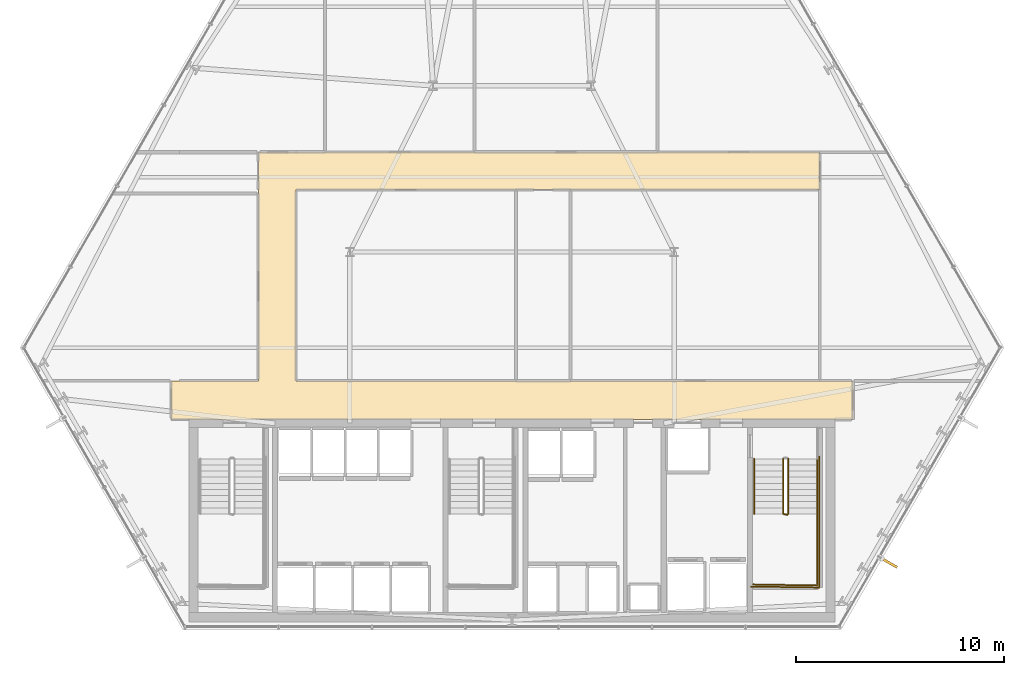
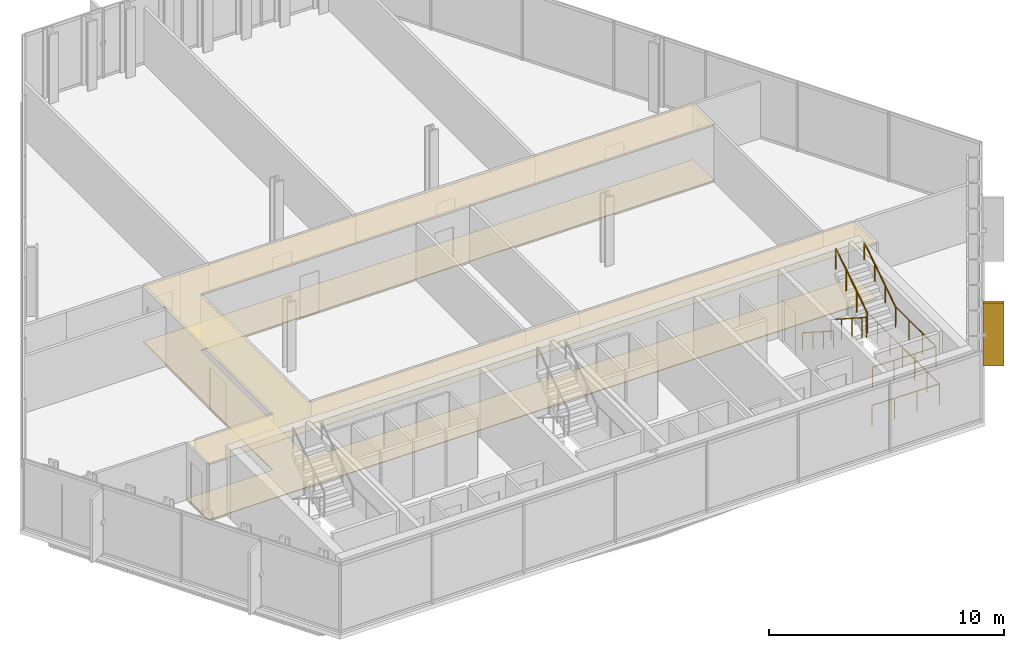
# One storey, part 30 of 32: 6 railings, 2 coverings, 1 shading device.
"""IFC4 building model written with IfcOpenShell, lengths in metres."""

from ifc_helpers import new_model, si_unit, direction, frame, origin, origin_2d, place, context, subcontext, project, spatial, polyline, rectangle, circle, outline, extrude, material, layer, layer_set, type_object, element, save


model = new_model("IFC4")

# Units and contexts
model_context = context("Model", 3, precision=1e-05, world=origin(), true_north=direction((0.0, 1.0)))
body_context = subcontext(model_context, "Body", "Model", "MODEL_VIEW")
ifc_project = project(units=[si_unit("LENGTHUNIT", "METRE"), si_unit("AREAUNIT", "SQUARE_METRE"), si_unit("VOLUMEUNIT", "CUBIC_METRE"), si_unit("PLANEANGLEUNIT", "RADIAN"), si_unit("MASSUNIT", "GRAM", prefix="KILO")], contexts=[model_context])

# Site, building, storey
site_placement = place(None, origin())
site = spatial("IfcSite", under=ifc_project, at=site_placement, CompositionType="ELEMENT")
building_placement = place(site_placement, origin())
building = spatial("IfcBuilding", under=site, at=building_placement, Name="Ndaravel Arena Tower", CompositionType="ELEMENT")
storey_placement = place(building_placement, frame((0.0, 0.0, 62.60009765625)))
storey = spatial("IfcBuildingStorey", under=building, at=storey_placement, Name="L13", CompositionType="ELEMENT", Elevation=62.60009765625)

# Coverings
ifc_material_1 = material(Name="Acoustic Ceiling Tile", Category="finish")
ifc_layer_1 = layer(ifc_material_1, 0.02490234375)
ifc_layer_set_1 = layer_set([ifc_layer_1], Name="Acoustic Ceiling Tile")
covering_type_1 = type_object("IfcCoveringType", Name="COV-CEIL-AC600", PredefinedType="CEILING", material=ifc_layer_set_1)
covering_1_placement = place(storey_placement, frame((0.0, 0.0, 2.902587890625)))
element("IfcCovering", 1, at=covering_1_placement, inside=storey, type_object=covering_type_1, Name="L13 Corridor Acoustic Ceiling", PredefinedType="CEILING", context=body_context, shape_type="SweptSolid", body=[
    extrude(outline(polyline([(58.39990234375, 17.0), (31.60009765625, 17.0), (31.60009765625, 26.199951171875), (56.800048828125, 26.199951171875), (56.800048828125, 28.0), (31.60009765625, 28.0), (29.800048828125, 28.0), (29.800048828125, 26.199951171875), (29.800048828125, 17.0), (25.60009765625, 17.0), (25.60009765625, 15.14990234375), (58.39990234375, 15.14990234375), (58.39990234375, 17.0)])), origin(), (0.0, 0.0, 1.0), 0.025146484375),
])
ifc_material_2 = material(Name="Terrazzo", Category="stone")
ifc_layer_2 = layer(ifc_material_2, 0.030029296875)
ifc_layer_set_2 = layer_set([ifc_layer_2], Name="Terrazzo")
covering_type_2 = type_object("IfcCoveringType", Name="COV-FLOOR-TERRAZZO", PredefinedType="FLOORING", material=ifc_layer_set_2)
covering_2_placement = place(storey_placement, origin())
element("IfcCovering", 2, at=covering_2_placement, inside=storey, type_object=covering_type_2, Name="L13 Corridor Terrazzo Flooring", PredefinedType="FLOORING", context=body_context, shape_type="SweptSolid", body=[
    extrude(outline(polyline([(58.39990234375, 17.0), (31.60009765625, 17.0), (31.60009765625, 26.199951171875), (56.800048828125, 26.199951171875), (56.800048828125, 28.0), (31.60009765625, 28.0), (29.800048828125, 28.0), (29.800048828125, 26.199951171875), (29.800048828125, 17.0), (25.60009765625, 17.0), (25.60009765625, 15.14990234375), (58.39990234375, 15.14990234375), (58.39990234375, 17.0)])), origin(), (0.0, 0.0, 1.0), 0.02978515625),
])

# Railings
ifc_material_3 = material(Name="Steel S355", Category="steel")
ifc_layer_3 = layer(ifc_material_3, 0.06005859375)
ifc_layer_set_3 = layer_set([ifc_layer_3], Name="Steel S355")
railing_type_1 = type_object("IfcRailingType", Name="RAIL-STAIR-GD1100", PredefinedType="GUARDRAIL", material=ifc_layer_set_3)
railing_1_placement = place(storey_placement, frame((55.050048828125, 13.25, 0.18994140625)))
element("IfcRailing", 3, at=railing_1_placement, inside=storey, type_object=railing_type_1, Name="L13 ST-3 stair guard 1", PredefinedType="GUARDRAIL", context=body_context, shape_type="SweptSolid", body=[
    extrude(circle(Radius=0.02392578125, at=origin_2d()), frame((0.0, 0.0, 1.076171875), z_axis=(0.0, -0.840723540582, 0.54146461409), x_axis=(1.0, 0.0, 0.0)), (0.0, 0.0, 1.0), 3.157958984375),
    extrude(circle(Radius=0.02392578125, at=origin_2d()), frame((0.0, -2.655029296875, 2.7861328125), z_axis=(0.966993988697, -0.254799187253, 0.0), x_axis=(0.254799187253, 0.966993988697, 0.0)), (0.0, 0.0, 1.0), 0.196533203125),
    extrude(circle(Radius=0.02099609375, at=origin_2d()), origin(), (0.0, 0.0, 1.0), 1.052001953125),
    extrude(circle(Radius=0.02099609375, at=origin_2d()), frame((0.0, -0.885009765625, 0.570068359375)), (0.0, 0.0, 1.0), 1.052001953125),
    extrude(circle(Radius=0.02099609375, at=origin_2d()), frame((0.0, -1.77001953125, 1.139892578125)), (0.0, 0.0, 1.0), 1.052001953125),
    extrude(circle(Radius=0.02099609375, at=origin_2d()), frame((0.0, -2.655029296875, 1.7099609375)), (0.0, 0.0, 1.0), 1.052001953125),
    extrude(circle(Radius=0.02099609375, at=origin_2d()), frame((0.18994140625, -2.705078125, 1.7099609375)), (0.0, 0.0, 1.0), 1.052001953125),
])
railing_2_placement = place(storey_placement, frame((56.68994140625, 10.594970703125, 1.89990234375)))
element("IfcRailing", 4, at=railing_2_placement, inside=storey, type_object=railing_type_1, Name="L13 ST-3 stair guard 2", PredefinedType="GUARDRAIL", context=body_context, shape_type="SweptSolid", body=[
    extrude(circle(Radius=0.02392578125, at=origin_2d()), frame((0.0, 0.0, 1.076171875), z_axis=(0.0, -1.0, 0.0), x_axis=(1.0, 0.0, 0.0)), (0.0, 0.0, 1.0), 3.445068359375),
    extrude(circle(Radius=0.02392578125, at=origin_2d()), frame((0.0, -3.445068359375, 1.076171875), z_axis=(-0.999868840623, 0.016195726322, 0.0), x_axis=(-0.016195726322, -0.999868840623, 0.0)), (0.0, 0.0, 1.0), 3.09033203125),
    extrude(circle(Radius=0.02099609375, at=origin_2d()), origin(), (0.0, 0.0, 1.0), 1.052001953125),
    extrude(circle(Radius=0.02099609375, at=origin_2d()), frame((0.0, -1.1484375, 0.0)), (0.0, 0.0, 1.0), 1.052001953125),
    extrude(circle(Radius=0.02099609375, at=origin_2d()), frame((0.0, -2.296630859375, 0.0)), (0.0, 0.0, 1.0), 1.052001953125),
    extrude(circle(Radius=0.02099609375, at=origin_2d()), frame((0.0, -3.445068359375, 0.0)), (0.0, 0.0, 1.0), 1.052001953125),
    extrude(circle(Radius=0.02099609375, at=origin_2d()), frame((-1.030029296875, -3.428466796875, 0.0)), (0.0, 0.0, 1.0), 1.052001953125),
    extrude(circle(Radius=0.02099609375, at=origin_2d()), frame((-2.059814453125, -3.41162109375, 0.0)), (0.0, 0.0, 1.0), 1.052001953125),
    extrude(circle(Radius=0.02099609375, at=origin_2d()), frame((-3.08984375, -3.39501953125, 0.0)), (0.0, 0.0, 1.0), 1.052001953125),
])
railing_3_placement = place(storey_placement, frame((55.2900390625, 10.594970703125, 2.08984375)))
element("IfcRailing", 5, at=railing_3_placement, inside=storey, type_object=railing_type_1, Name="L13 ST-3 stair guard 3", PredefinedType="GUARDRAIL", context=body_context, shape_type="SweptSolid", body=[
    extrude(circle(Radius=0.02392578125, at=origin_2d()), frame((0.0, 0.0, 1.076171875), z_axis=(0.0, 0.840723540582, 0.54146461409), x_axis=(-1.0, 0.0, 0.0)), (0.0, 0.0, 1.0), 3.157958984375),
    extrude(circle(Radius=0.02099609375, at=origin_2d()), origin(), (0.0, 0.0, 1.0), 1.052001953125),
    extrude(circle(Radius=0.02099609375, at=origin_2d()), frame((0.0, 0.885009765625, 0.570068359375)), (0.0, 0.0, 1.0), 1.052001953125),
    extrude(circle(Radius=0.02099609375, at=origin_2d()), frame((0.0, 1.77001953125, 1.139892578125)), (0.0, 0.0, 1.0), 1.052001953125),
    extrude(circle(Radius=0.02099609375, at=origin_2d()), frame((0.0, 2.655029296875, 1.7099609375)), (0.0, 0.0, 1.0), 1.052001953125),
])
railing_4_placement = place(storey_placement, frame((56.7900390625, 13.35009765625, 0.0)))
element("IfcRailing", 6, at=railing_4_placement, inside=storey, type_object=railing_type_1, Name="L13 ST-3 stair guard 6", PredefinedType="GUARDRAIL", context=body_context, shape_type="SweptSolid", body=[
    extrude(circle(Radius=0.02392578125, at=origin_2d()), frame((0.0, 0.0, 1.076171875), z_axis=(0.0, -1.0, 0.0), x_axis=(1.0, 0.0, 0.0)), (0.0, 0.0, 1.0), 6.300048828125),
    extrude(circle(Radius=0.02392578125, at=origin_2d()), frame((0.0, -6.300048828125, 1.076171875), z_axis=(-0.99988431412, 0.015210469308, 0.0), x_axis=(-0.015210469308, -0.99988431412, 0.0)), (0.0, 0.0, 1.0), 3.29052734375),
    extrude(circle(Radius=0.02099609375, at=origin_2d()), origin(), (0.0, 0.0, 1.0), 1.052001953125),
    extrude(circle(Radius=0.02099609375, at=origin_2d()), frame((0.0, -1.050048828125, 0.0)), (0.0, 0.0, 1.0), 1.052001953125),
    extrude(circle(Radius=0.02099609375, at=origin_2d()), frame((0.0, -2.10009765625, 0.0)), (0.0, 0.0, 1.0), 1.052001953125),
    extrude(circle(Radius=0.02099609375, at=origin_2d()), frame((0.0, -3.14990234375, 0.0)), (0.0, 0.0, 1.0), 1.052001953125),
    extrude(circle(Radius=0.02099609375, at=origin_2d()), frame((0.0, -4.199951171875, 0.0)), (0.0, 0.0, 1.0), 1.052001953125),
    extrude(circle(Radius=0.02099609375, at=origin_2d()), frame((0.0, -5.25, 0.0)), (0.0, 0.0, 1.0), 1.052001953125),
    extrude(circle(Radius=0.02099609375, at=origin_2d()), frame((0.0, -6.300048828125, 0.0)), (0.0, 0.0, 1.0), 1.052001953125),
    extrude(circle(Radius=0.02099609375, at=origin_2d()), frame((-1.0966796875, -6.283447265625, 0.0)), (0.0, 0.0, 1.0), 1.052001953125),
    extrude(circle(Radius=0.02099609375, at=origin_2d()), frame((-2.193359375, -6.2666015625, 0.0)), (0.0, 0.0, 1.0), 1.052001953125),
    extrude(circle(Radius=0.02099609375, at=origin_2d()), frame((-3.2900390625, -6.25, 0.0)), (0.0, 0.0, 1.0), 1.052001953125),
])
ifc_material_4 = material(Name="Steel S355", Category="steel")
ifc_layer_4 = layer(ifc_material_4, 0.050048828125)
ifc_layer_set_4 = layer_set([ifc_layer_4], Name="Steel S355")
railing_type_2 = type_object("IfcRailingType", Name="RAIL-STAIR-HR920", PredefinedType="HANDRAIL", material=ifc_layer_set_4)
railing_5_placement = place(storey_placement, frame((53.64990234375, 13.25, 0.18994140625)))
element("IfcRailing", 7, at=railing_5_placement, inside=storey, type_object=railing_type_2, Name="L13 ST-3 stair handrail 1", PredefinedType="HANDRAIL", context=body_context, shape_type="SweptSolid", body=[
    extrude(circle(Radius=0.02392578125, at=origin_2d()), frame((0.0, 0.0, 0.8759765625), z_axis=(0.0, -0.840723540582, 0.54146461409), x_axis=(1.0, 0.0, 0.0)), (0.0, 0.0, 1.0), 3.157958984375),
    extrude(circle(Radius=0.02099609375, at=origin_2d()), origin(), (0.0, 0.0, 1.0), 0.851806640625),
    extrude(circle(Radius=0.02099609375, at=origin_2d()), frame((0.0, -0.885009765625, 0.570068359375)), (0.0, 0.0, 1.0), 0.851806640625),
    extrude(circle(Radius=0.02099609375, at=origin_2d()), frame((0.0, -1.77001953125, 1.139892578125)), (0.0, 0.0, 1.0), 0.851806640625),
    extrude(circle(Radius=0.02099609375, at=origin_2d()), frame((0.0, -2.655029296875, 1.7099609375)), (0.0, 0.0, 1.0), 0.851806640625),
])
railing_6_placement = place(storey_placement, frame((56.68994140625, 10.594970703125, 2.08984375)))
element("IfcRailing", 8, at=railing_6_placement, inside=storey, type_object=railing_type_2, Name="L13 ST-3 stair handrail 2", PredefinedType="HANDRAIL", context=body_context, shape_type="SweptSolid", body=[
    extrude(circle(Radius=0.02392578125, at=origin_2d()), frame((0.0, 0.0, 0.8759765625), z_axis=(0.0, 0.840723540582, 0.54146461409), x_axis=(-1.0, 0.0, 0.0)), (0.0, 0.0, 1.0), 3.157958984375),
    extrude(circle(Radius=0.02099609375, at=origin_2d()), origin(), (0.0, 0.0, 1.0), 0.851806640625),
    extrude(circle(Radius=0.02099609375, at=origin_2d()), frame((0.0, 0.885009765625, 0.570068359375)), (0.0, 0.0, 1.0), 0.851806640625),
    extrude(circle(Radius=0.02099609375, at=origin_2d()), frame((0.0, 1.77001953125, 1.139892578125)), (0.0, 0.0, 1.0), 0.851806640625),
    extrude(circle(Radius=0.02099609375, at=origin_2d()), frame((0.0, 2.655029296875, 1.7099609375)), (0.0, 0.0, 1.0), 0.851806640625),
])

# Shading device
ifc_material_5 = material(Name="Masonry", Category="masonry")
shading_device_type = type_object("IfcShadingDeviceType", Name="SHD-MAZERAS-FIN", PredefinedType="SHUTTER", material=ifc_material_5)
shading_device_placement = place(storey_placement, frame((60.136474609375, 8.25146484375, 0.14990234375), z_axis=(0.0, 0.0, 1.0), x_axis=(0.866025403784, -0.5, 0.0)))
element("IfcShadingDevice", 9, at=shading_device_placement, inside=storey, type_object=shading_device_type, Name="L13 Mazeras Stone Solar Fin E2.1", PredefinedType="SHUTTER", context=body_context, shape_type="SweptSolid", body=[
    extrude(rectangle(XDim=0.89990234375, YDim=0.1201171875, at=origin_2d()), origin(), (0.0, 0.0, 1.0), 3.280029296875),
])

save(model, "model.ifc")
